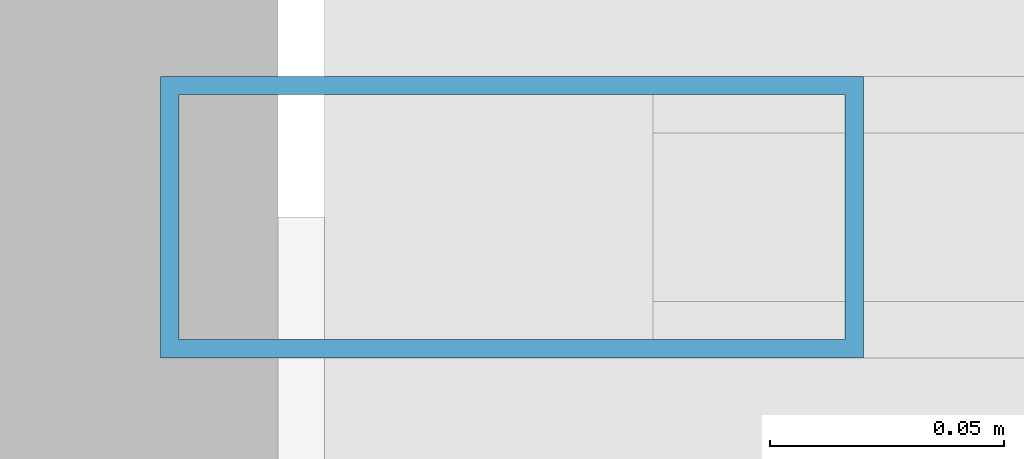
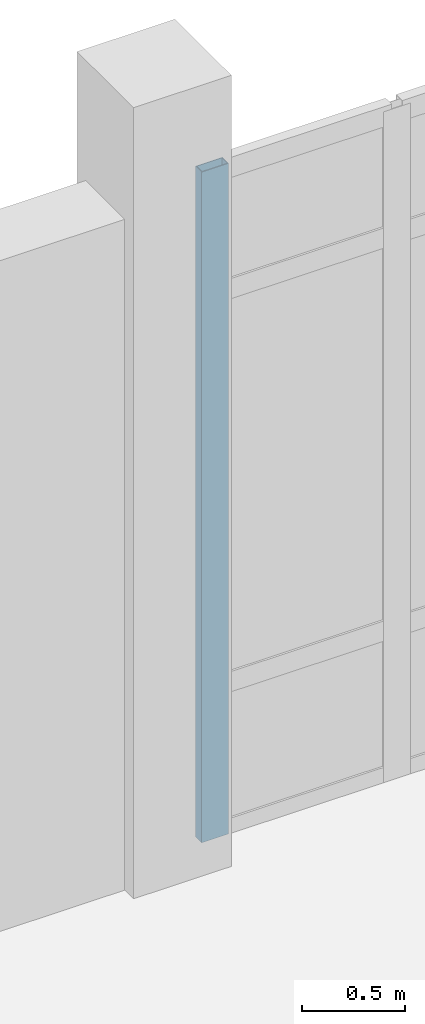
# One storey, part 83 of 173: 1 member, 1 element without a shape of its own.
"""IFC4 building model written with IfcOpenShell, lengths in metres."""

from ifc_helpers import new_model, si_unit, direction, frame, origin, origin_2d, place, context, subcontext, project, spatial, hollow_rectangle, extrude, material, layer, layer_set, material_profile, profile_set, type_object, element, aggregate, save


model = new_model("IFC4")

# Units and contexts
model_context = context("Model", 3, precision=1e-05, world=origin(), true_north=direction((0.0, 1.0)))
body_context = subcontext(model_context, "Body", "Model", "MODEL_VIEW")
ifc_project = project(units=[si_unit("LENGTHUNIT", "METRE"), si_unit("AREAUNIT", "SQUARE_METRE"), si_unit("VOLUMEUNIT", "CUBIC_METRE"), si_unit("PLANEANGLEUNIT", "RADIAN"), si_unit("MASSUNIT", "GRAM", prefix="KILO")], contexts=[model_context])

# Site, building, storey
site_placement = place(None, origin())
site = spatial("IfcSite", under=ifc_project, at=site_placement, CompositionType="ELEMENT")
building_placement = place(site_placement, origin())
building = spatial("IfcBuilding", under=site, at=building_placement, Name="Mawjan Specialist Oncology Clinic", CompositionType="ELEMENT")
storey_placement = place(building_placement, origin())
storey = spatial("IfcBuildingStorey", under=building, at=storey_placement, Name="L00", CompositionType="ELEMENT", Elevation=0.0)

# Curtain wall, member
ifc_material_1 = material(Name="Unitised spectrally selective aluminium curtain wall", Category="aluminium")
ifc_layer = layer(ifc_material_1, 0.179931640625, Name="Unitised spectrally selective aluminium curtain wall", Category="aluminium")
ifc_layer_set = layer_set([ifc_layer], Name="Unitised spectrally selective aluminium curtain wall")
curtain_wall_type = type_object("IfcCurtainWallType", Name="CW-13", PredefinedType="NOTDEFINED", material=ifc_layer_set)
curtain_wall_placement = place(storey_placement, origin())
curtain_wall = element("IfcCurtainWall", 1, at=curtain_wall_placement, inside=storey, type_object=curtain_wall_type, Name="L00 Unitised Curtain Wall CW-L00-025", PredefinedType="NOTDEFINED")
ifc_material_2 = material(Name="Thermally broken aluminium 6063-T6", Category="aluminium")
ifc_material_profile = material_profile(ifc_material_2, hollow_rectangle(XDim=0.06005859375, YDim=0.14990234375, WallThickness=0.00390625, at=origin_2d()), Name="ALU MULLION 150x60x4", Category="aluminium")
ifc_profile_set = profile_set([ifc_material_profile], Name="Thermally broken aluminium 6063-T6")
member_type = type_object("IfcMemberType", Name="CW-M150", PredefinedType="MULLION", material=ifc_profile_set)
member_placement = place(storey_placement, frame((93.925048828125, 113.300048828125, 0.0), z_axis=(0.0, 0.0, 1.0), x_axis=(0.0, 1.0, 0.0)))
member = element("IfcMember", 2, at=member_placement, type_object=member_type, Name="CW-13 mullion 1", PredefinedType="MULLION", context=body_context, shape_type="SweptSolid", body=[
    extrude(hollow_rectangle(XDim=0.06005859375, YDim=0.14990234375, WallThickness=0.00390625, at=origin_2d()), origin(), (0.0, 0.0, 1.0), 3.985107421875),
])
aggregate(curtain_wall, [member])

save(model, "model.ifc")
